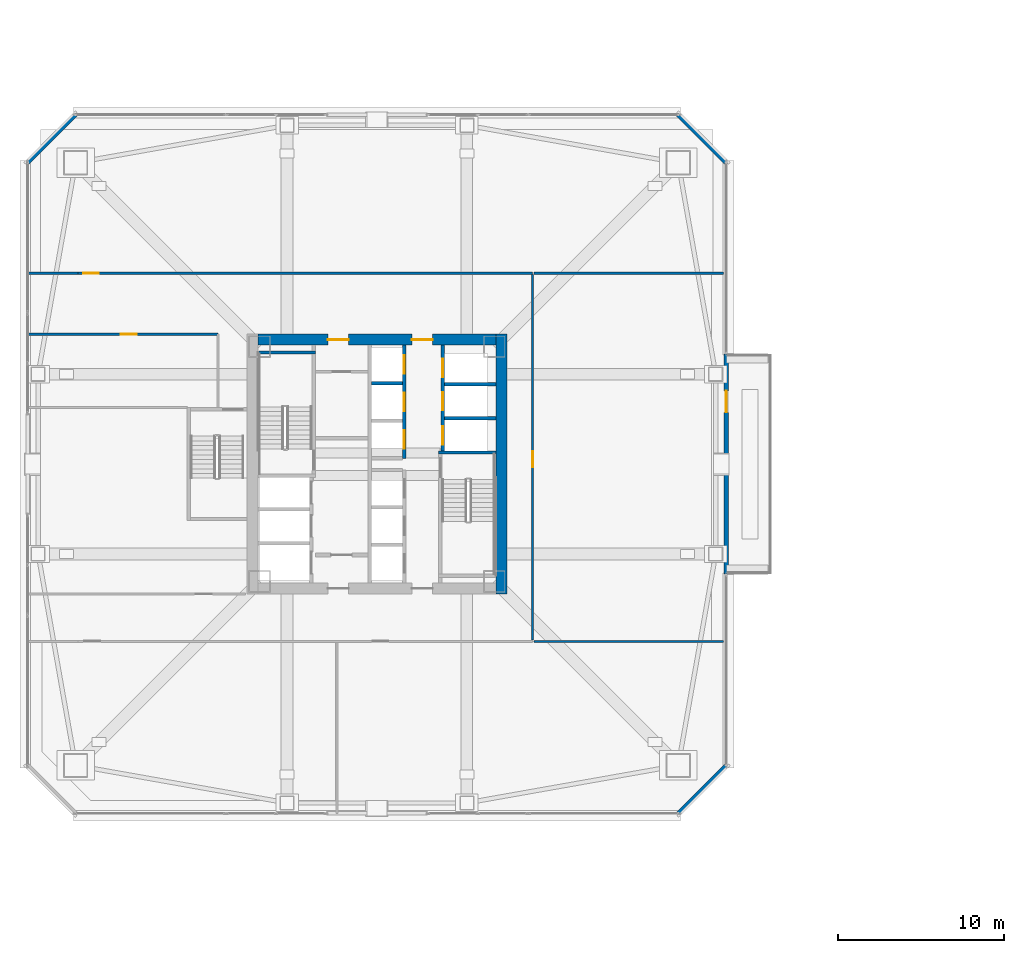
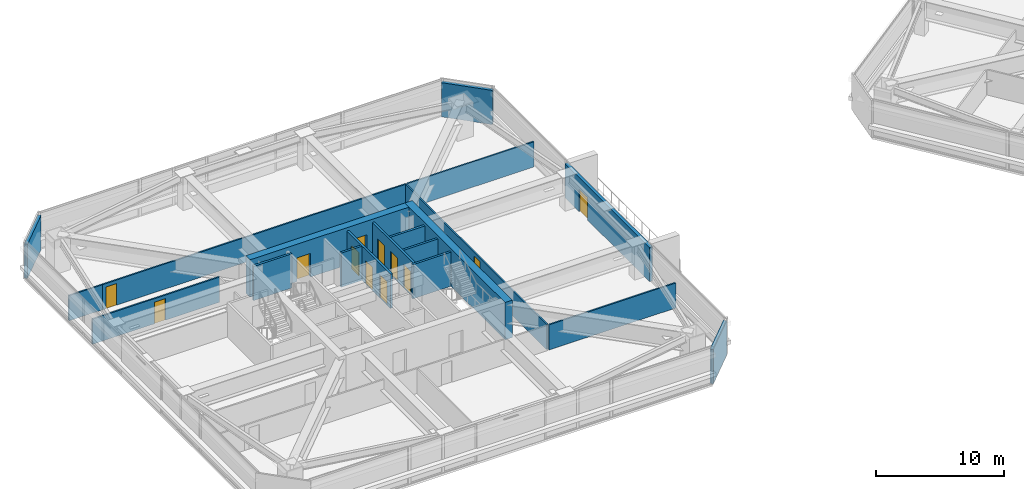
# One storey, part 39 of 49: 19 walls, 12 doors, 12 openings.
"""IFC4 building model written with IfcOpenShell, lengths in metres."""

from ifc_helpers import new_model, si_unit, direction, frame, frame_2d, origin, place, context, subcontext, project, spatial, rectangle, extrude, material, layer, layer_set, type_object, element, fill, save


model = new_model("IFC4")

# Units and contexts
model_context = context("Model", 3, precision=1e-05, world=origin(), true_north=direction((0.0, 1.0)))
body_context = subcontext(model_context, "Body", "Model", "MODEL_VIEW")
ifc_project = project(units=[si_unit("LENGTHUNIT", "METRE"), si_unit("AREAUNIT", "SQUARE_METRE"), si_unit("VOLUMEUNIT", "CUBIC_METRE"), si_unit("PLANEANGLEUNIT", "RADIAN"), si_unit("MASSUNIT", "GRAM", prefix="KILO")], contexts=[model_context])

# Site, building, storey
site_placement = place(None, origin())
site = spatial("IfcSite", under=ifc_project, at=site_placement, CompositionType="ELEMENT")
building_placement = place(site_placement, origin())
building = spatial("IfcBuilding", under=site, at=building_placement, Name="Tashvorn Skyway Center", CompositionType="ELEMENT")
storey_placement = place(building_placement, frame((0.0, 0.0, 106.25)))
storey = spatial("IfcBuildingStorey", under=building, at=storey_placement, Name="L28", CompositionType="ELEMENT", Elevation=106.25)

# Wall
ifc_material_1 = material(Name="Concrete C60/75", Category="concrete")
ifc_layer_1 = layer(ifc_material_1, 0.64990234375)
ifc_layer_set_1 = layer_set([ifc_layer_1], Name="Concrete C60/75")
wall_type_1 = type_object("IfcWallType", Name="WALL-CORE-650", PredefinedType="SHEAR", material=ifc_layer_set_1)
wall_1_placement = place(storey_placement, frame((49.47509765625, 39.800048828125, 0.0), z_axis=(0.0, 0.0, 1.0), x_axis=(0.0, -1.0, 0.0)))
element("IfcWall", 1, at=wall_1_placement, inside=storey, type_object=wall_type_1, Name="Tower 1 L28 East Core Shear Wall", PredefinedType="SHEAR", context=body_context, shape_type="SweptSolid", body=[
    extrude(rectangle(XDim=15.60009765625, YDim=0.64990234375, at=frame_2d((7.800048828125, 0.0))), origin(), (0.0, 0.0, 1.0), 3.550048828125),
])

# Wall, openings, doors
wall_2_placement = place(storey_placement, frame((34.85009765625, 39.47509765625, 0.0), z_axis=(0.0, 0.0, 1.0), x_axis=(1.0, 0.0, 0.0)))
wall_2 = element("IfcWall", 2, at=wall_2_placement, inside=storey, type_object=wall_type_1, Name="Tower 1 L28 North Core Shear Wall", PredefinedType="SHEAR", context=body_context, shape_type="SweptSolid", body=[
    extrude(rectangle(XDim=14.2998046875, YDim=0.64990234375, at=frame_2d((7.14990234375, 0.0))), origin(), (0.0, 0.0, 1.0), 3.550048828125),
])
opening_1_placement = place(wall_2_placement, frame((4.199951171875, 0.0, 0.0)))
opening_1 = element("IfcOpeningElement", 3, at=opening_1_placement, cuts=wall_2, Name="Opening D-FFL-1250", PredefinedType="OPENING", context=body_context, shape_type="SweptSolid", body=[
    extrude(rectangle(XDim=1.25, YDim=2.25, at=frame_2d((0.625, 1.125))), frame((0.0, 0.3349609375, 0.0), z_axis=(0.0, -1.0, 0.0), x_axis=(1.0, 0.0, 0.0)), (0.0, 0.0, 1.0), 0.669921875),
])
opening_2_placement = place(wall_2_placement, frame((9.25, 0.0, 0.0)))
opening_2 = element("IfcOpeningElement", 4, at=opening_2_placement, cuts=wall_2, Name="Opening D-FFL-1250", PredefinedType="OPENING", context=body_context, shape_type="SweptSolid", body=[
    extrude(rectangle(XDim=1.25, YDim=2.25, at=frame_2d((0.625, 1.125))), frame((0.0, 0.3349609375, 0.0), z_axis=(0.0, -1.0, 0.0), x_axis=(1.0, 0.0, 0.0)), (0.0, 0.0, 1.0), 0.669921875),
])
ifc_material_2 = material(Name="Hollow galvanized steel fire door assembly", Category="steel")
door_type_1 = type_object("IfcDoorType", Name="DOOR-FFL-1250", OperationType="NOTDEFINED", PredefinedType="DOOR", material=ifc_material_2)
door_1_placement = place(opening_1_placement, origin())
door_1 = element("IfcDoor", 5, at=door_1_placement, inside=storey, type_object=door_type_1, Name="Tower 1 L28 Core North Service Lobby Door", OperationType="SINGLE_SWING_LEFT", OverallHeight=2.25, OverallWidth=1.25, PredefinedType="DOOR", context=body_context, shape_type="SweptSolid", body=[
    extrude(rectangle(XDim=1.25, YDim=2.25, at=frame_2d((0.625, 1.125))), frame((0.0, 0.02490234375, 0.0), z_axis=(0.0, -1.0, 0.0), x_axis=(1.0, 0.0, 0.0)), (0.0, 0.0, 1.0), 0.050048828125),
])
fill(opening_1, door_1)
door_2_placement = place(opening_2_placement, origin())
door_2 = element("IfcDoor", 6, at=door_2_placement, inside=storey, type_object=door_type_1, Name="Tower 1 L28 Core North Lift Lobby Door", OperationType="SINGLE_SWING_RIGHT", OverallHeight=2.25, OverallWidth=1.25, PredefinedType="DOOR", context=body_context, shape_type="SweptSolid", body=[
    extrude(rectangle(XDim=1.25, YDim=2.25, at=frame_2d((0.625, 1.125))), frame((0.0, 0.02490234375, 0.0), z_axis=(0.0, -1.0, 0.0), x_axis=(1.0, 0.0, 0.0)), (0.0, 0.0, 1.0), 0.050048828125),
])
fill(opening_2, door_2)

# Wall, opening, door
ifc_material_3 = material(Name="Precast concrete C40/50", Category="concrete")
ifc_layer_2 = layer(ifc_material_3, 0.280029296875)
ifc_layer_set_2 = layer_set([ifc_layer_2], Name="Precast concrete C40/50")
wall_type_2 = type_object("IfcWallType", Name="WALL-EXT-280", PredefinedType="SOLIDWALL", material=ifc_layer_set_2)
wall_3_placement = place(storey_placement, frame((62.97998046875, 38.60009765625, 0.0), z_axis=(0.0, 0.0, 1.0), x_axis=(0.0, -1.0, 0.0)))
wall_3 = element("IfcWall", 7, at=wall_3_placement, inside=storey, type_object=wall_type_2, Name="Tower 1 L28 East Sky Garden Loggia Wall", PredefinedType="SOLIDWALL", context=body_context, shape_type="SweptSolid", body=[
    extrude(rectangle(XDim=13.2001953125, YDim=0.280029296875, at=frame_2d((6.60009765625, 0.0))), origin(), (0.0, 0.0, 1.0), 3.25),
])
opening_3_placement = place(wall_3_placement, frame((2.199951171875, 0.0, 0.0)))
opening_3 = element("IfcOpeningElement", 8, at=opening_3_placement, cuts=wall_3, Name="Opening D-TER-1300", PredefinedType="OPENING", context=body_context, shape_type="SweptSolid", body=[
    extrude(rectangle(XDim=1.300048828125, YDim=2.14990234375, at=frame_2d((0.64990234375, 1.074951171875))), frame((0.0, 0.14990234375, 0.0), z_axis=(0.0, -1.0, 0.0), x_axis=(1.0, 0.0, 0.0)), (0.0, 0.0, 1.0), 0.300048828125),
])
ifc_material_4 = material(Name="Thermally broken bronze-anodized aluminium 6063-T6", Category="aluminium")
door_type_2 = type_object("IfcDoorType", Name="DOOR-TERR-1300", OperationType="NOTDEFINED", PredefinedType="DOOR", material=ifc_material_4)
door_3_placement = place(opening_3_placement, origin())
door_3 = element("IfcDoor", 9, at=door_3_placement, inside=storey, type_object=door_type_2, Name="Tower 1 L28 Sky Garden Access Door", OperationType="SINGLE_SWING_RIGHT", OverallHeight=2.14990234375, OverallWidth=1.300048828125, PredefinedType="DOOR", context=body_context, shape_type="SweptSolid", body=[
    extrude(rectangle(XDim=1.300048828125, YDim=2.14990234375, at=frame_2d((0.64990234375, 1.074951171875))), frame((0.0, 0.02490234375, 0.0), z_axis=(0.0, -1.0, 0.0), x_axis=(1.0, 0.0, 0.0)), (0.0, 0.0, 1.0), 0.050048828125),
])
fill(opening_3, door_3)

# Walls
for number, where, z_axis, x_axis, name in (
    (10, (21.0, 50.10009765625, 0.0), (0.0, 0.0, 1.0), (0.707106781187, 0.707106781187, 0.0), "Tower 1 L28 NW Precast Chamfer Wall"),
    (11, (60.10009765625, 53.0, 0.0), (0.0, 0.0, 1.0), (0.707106781187, -0.707106781187, 0.0), "Tower 1 L28 NE Precast Chamfer Wall"),
    (12, (63.0, 13.89990234375, 0.0), (0.0, 0.0, 1.0), (-0.707106781187, -0.707106781187, 0.0), "Tower 1 L28 SE Precast Chamfer Wall"),
):
    element("IfcWall", number, at=place(storey_placement, frame(where, z_axis=z_axis, x_axis=x_axis)), inside=storey, type_object=wall_type_2, Name=name, PredefinedType="SOLIDWALL", context=body_context, shape_type="SweptSolid", body=[
        extrude(rectangle(XDim=4.10107421875, YDim=0.280029296875, at=frame_2d((2.050537109375, 0.0))), origin(), (0.0, 0.0, 1.0), 3.25),
    ])

# Wall, opening, door
ifc_material_5 = material(Name="Gypsum board on cold-formed steel stud framing", Category="steel")
ifc_layer_3 = layer(ifc_material_5, 0.135009765625)
ifc_layer_set_3 = layer_set([ifc_layer_3], Name="Gypsum board on cold-formed steel stud framing")
wall_type_3 = type_object("IfcWallType", Name="WALL-PART-135", PredefinedType="PARTITIONING", material=ifc_layer_set_3)
wall_4_placement = place(storey_placement, frame((24.050048828125, 43.469970703125, 0.0), z_axis=(0.0, 0.0, 1.0), x_axis=(1.0, 0.0, 0.0)))
wall_4 = element("IfcWall", 13, at=wall_4_placement, inside=storey, type_object=wall_type_3, Name="Tower 1 L28 North Suite Wall", PredefinedType="PARTITIONING", context=body_context, shape_type="SweptSolid", body=[
    extrude(rectangle(XDim=27.300048828125, YDim=0.135009765625, at=frame_2d((13.64990234375, 0.0))), origin(), (0.0, 0.0, 1.0), 2.39306640625),
])
opening_4_placement = place(wall_4_placement, frame((0.300048828125, 0.0, 0.0)))
opening_4 = element("IfcOpeningElement", 14, at=opening_4_placement, cuts=wall_4, Name="Opening D-INT-950", PredefinedType="OPENING", context=body_context, shape_type="SweptSolid", body=[
    extrude(rectangle(XDim=0.949951171875, YDim=2.050048828125, at=frame_2d((0.47509765625, 1.02490234375))), frame((0.0, 0.077392578125, 0.0), z_axis=(0.0, -1.0, 0.0), x_axis=(1.0, 0.0, 0.0)), (0.0, 0.0, 1.0), 0.155029296875),
])
ifc_material_6 = material(Name="Solid-core architectural oak veneer door")
door_type_3 = type_object("IfcDoorType", Name="DOOR-INT-950", OperationType="NOTDEFINED", PredefinedType="DOOR", material=ifc_material_6)
door_4_placement = place(opening_4_placement, origin())
door_4 = element("IfcDoor", 15, at=door_4_placement, inside=storey, type_object=door_type_3, Name="Tower 1 L28 Operations Control Room Door", OperationType="SINGLE_SWING_LEFT", OverallHeight=2.050048828125, OverallWidth=0.949951171875, PredefinedType="DOOR", context=body_context, shape_type="SweptSolid", body=[
    extrude(rectangle(XDim=0.949951171875, YDim=2.050048828125, at=frame_2d((0.47509765625, 1.02490234375))), frame((0.0, 0.02490234375, 0.0), z_axis=(0.0, -1.0, 0.0), x_axis=(1.0, 0.0, 0.0)), (0.0, 0.0, 1.0), 0.050048828125),
])
fill(opening_4, door_4)

# Wall
wall_5_placement = place(storey_placement, frame((21.02001953125, 43.469970703125, 0.0), z_axis=(0.0, 0.0, 1.0), x_axis=(1.0, 0.0, 0.0)))
element("IfcWall", 16, at=wall_5_placement, inside=storey, type_object=wall_type_3, Name="Tower 1 L28 North-West Suite South Wall", PredefinedType="PARTITIONING", context=body_context, shape_type="SweptSolid", body=[
    extrude(rectangle(XDim=3.030029296875, YDim=0.135009765625, at=frame_2d((1.51513671875, 0.0))), origin(), (0.0, 0.0, 1.0), 2.39306640625),
])

# Wall, opening, door
wall_6_placement = place(storey_placement, frame((51.35009765625, 43.389892578125, 0.0), z_axis=(0.0, 0.0, 1.0), x_axis=(0.0, -1.0, 0.0)))
wall_6 = element("IfcWall", 17, at=wall_6_placement, inside=storey, type_object=wall_type_3, Name="Tower 1 L28 East Inner Suite Wall", PredefinedType="PARTITIONING", context=body_context, shape_type="SweptSolid", body=[
    extrude(rectangle(XDim=21.9599609375, YDim=0.135009765625, at=frame_2d((10.97998046875, 0.0))), origin(), (0.0, 0.0, 1.0), 2.39306640625),
])
opening_5_placement = place(wall_6_placement, frame((10.631103515625, 0.0, 0.0)))
opening_5 = element("IfcOpeningElement", 18, at=opening_5_placement, cuts=wall_6, Name="Opening D-INT-950", PredefinedType="OPENING", context=body_context, shape_type="SweptSolid", body=[
    extrude(rectangle(XDim=0.949951171875, YDim=2.050048828125, at=frame_2d((0.47509765625, 1.02490234375))), frame((0.0, 0.077392578125, 0.0), z_axis=(0.0, -1.0, 0.0), x_axis=(1.0, 0.0, 0.0)), (0.0, 0.0, 1.0), 0.155029296875),
])
door_5_placement = place(opening_5_placement, origin())
door_5 = element("IfcDoor", 19, at=door_5_placement, inside=storey, type_object=door_type_3, Name="Tower 1 L28 Wellness Clinic Door", OperationType="SINGLE_SWING_RIGHT", OverallHeight=2.050048828125, OverallWidth=0.949951171875, PredefinedType="DOOR", context=body_context, shape_type="SweptSolid", body=[
    extrude(rectangle(XDim=0.949951171875, YDim=2.050048828125, at=frame_2d((0.47509765625, 1.02490234375))), frame((0.0, 0.02490234375, 0.0), z_axis=(0.0, -1.0, 0.0), x_axis=(1.0, 0.0, 0.0)), (0.0, 0.0, 1.0), 0.050048828125),
])
fill(opening_5, door_5)

# Walls
for number, where, z_axis, x_axis, name in (
    (20, (62.830078125, 43.469970703125, 0.0), (0.0, 0.0, 1.0), (-1.0, 0.0, 0.0), "Tower 1 L28 East Suite North Wall"),
    (21, (51.429931640625, 21.35009765625, 0.0), (0.0, 0.0, 1.0), (1.0, 0.0, 0.0), "Tower 1 L28 East Suite South Wall"),
):
    element("IfcWall", number, at=place(storey_placement, frame(where, z_axis=z_axis, x_axis=x_axis)), inside=storey, type_object=wall_type_3, Name=name, PredefinedType="PARTITIONING", context=body_context, shape_type="SweptSolid", body=[
        extrude(rectangle(XDim=11.400146484375, YDim=0.135009765625, at=frame_2d((5.7001953125, 0.0))), origin(), (0.0, 0.0, 1.0), 2.39306640625),
    ])

# Wall, opening, door
wall_7_placement = place(storey_placement, frame((32.449951171875, 39.800048828125, 0.0), z_axis=(0.0, 0.0, 1.0), x_axis=(-1.0, 0.0, 0.0)))
wall_7 = element("IfcWall", 22, at=wall_7_placement, inside=storey, type_object=wall_type_3, Name="Tower 1 L28 West Suite North Wall", PredefinedType="PARTITIONING", context=body_context, shape_type="SweptSolid", body=[
    extrude(rectangle(XDim=11.429931640625, YDim=0.135009765625, at=frame_2d((5.71484375, 0.0))), origin(), (0.0, 0.0, 1.0), 2.39306640625),
])
opening_6_placement = place(wall_7_placement, frame((4.889892578125, 0.0, 0.0)))
opening_6 = element("IfcOpeningElement", 23, at=opening_6_placement, cuts=wall_7, Name="Opening D-INT-950", PredefinedType="OPENING", context=body_context, shape_type="SweptSolid", body=[
    extrude(rectangle(XDim=0.949951171875, YDim=2.050048828125, at=frame_2d((0.47509765625, 1.02490234375))), frame((0.0, 0.077392578125, 0.0), z_axis=(0.0, -1.0, 0.0), x_axis=(1.0, 0.0, 0.0)), (0.0, 0.0, 1.0), 0.155029296875),
])
door_6_placement = place(opening_6_placement, origin())
door_6 = element("IfcDoor", 24, at=door_6_placement, inside=storey, type_object=door_type_3, Name="Tower 1 L28 Boardroom Door", OperationType="SINGLE_SWING_LEFT", OverallHeight=2.050048828125, OverallWidth=0.949951171875, PredefinedType="DOOR", context=body_context, shape_type="SweptSolid", body=[
    extrude(rectangle(XDim=0.949951171875, YDim=2.050048828125, at=frame_2d((0.47509765625, 1.02490234375))), frame((0.0, 0.02490234375, 0.0), z_axis=(0.0, -1.0, 0.0), x_axis=(1.0, 0.0, 0.0)), (0.0, 0.0, 1.0), 0.050048828125),
])
fill(opening_6, door_6)

# Walls
ifc_material_7 = material(Name="Concrete C40/50", Category="concrete")
ifc_layer_4 = layer(ifc_material_7, 0.199951171875)
ifc_layer_set_4 = layer_set([ifc_layer_4], Name="Concrete C40/50")
wall_type_4 = type_object("IfcWallType", Name="WALL-SHAFT-200", PredefinedType="SOLIDWALL", material=ifc_layer_set_4)
for number, where, z_axis, x_axis, name in (
    (25, (46.050048828125, 34.75, 0.0), (0.0, 0.0, 1.0), (1.0, 0.0, 0.0), "Tower 1 L28 High-Rise Shaft Divider"),
    (26, (46.050048828125, 36.800048828125, 0.0), (0.0, 0.0, 1.0), (1.0, 0.0, 0.0), "Tower 1 L28 High-Rise Shaft Divider"),
):
    element("IfcWall", number, at=place(storey_placement, frame(where, z_axis=z_axis, x_axis=x_axis)), inside=storey, type_object=wall_type_4, Name=name, PredefinedType="SOLIDWALL", context=body_context, shape_type="SweptSolid", body=[
        extrude(rectangle(XDim=3.099853515625, YDim=0.199951171875, at=frame_2d((1.5498046875, 0.0))), origin(), (0.0, 0.0, 1.0), 3.25),
    ])

# Wall, openings, doors
wall_8_placement = place(storey_placement, frame((43.64990234375, 32.35009765625, 0.0), z_axis=(0.0, 0.0, 1.0), x_axis=(0.0, 1.0, 0.0)))
wall_8 = element("IfcWall", 27, at=wall_8_placement, inside=storey, type_object=wall_type_4, Name="Tower 1 L28 Mid-Rise Core Wall", PredefinedType="SOLIDWALL", context=body_context, shape_type="SweptSolid", body=[
    extrude(rectangle(XDim=6.7998046875, YDim=0.199951171875, at=frame_2d((3.39990234375, 0.0))), origin(), (0.0, 0.0, 1.0), 3.25),
])
opening_7_placement = place(wall_8_placement, frame((0.574951171875, 0.0, 0.0)))
opening_7 = element("IfcOpeningElement", 28, at=opening_7_placement, cuts=wall_8, Name="Opening LD-MR-T1-1-L28", PredefinedType="OPENING", context=body_context, shape_type="SweptSolid", body=[
    extrude(rectangle(XDim=1.10009765625, YDim=2.199951171875, at=frame_2d((0.550048828125, 1.10009765625))), frame((0.0, 0.10986328125, 0.0), z_axis=(0.0, -1.0, 0.0), x_axis=(1.0, 0.0, 0.0)), (0.0, 0.0, 1.0), 0.219970703125),
])
opening_8_placement = place(wall_8_placement, frame((2.824951171875, 0.0, 0.0)))
opening_8 = element("IfcOpeningElement", 29, at=opening_8_placement, cuts=wall_8, Name="Opening LD-MR-T1-2-L28", PredefinedType="OPENING", context=body_context, shape_type="SweptSolid", body=[
    extrude(rectangle(XDim=1.10009765625, YDim=2.199951171875, at=frame_2d((0.550048828125, 1.10009765625))), frame((0.0, 0.10986328125, 0.0), z_axis=(0.0, -1.0, 0.0), x_axis=(1.0, 0.0, 0.0)), (0.0, 0.0, 1.0), 0.219970703125),
])
opening_9_placement = place(wall_8_placement, frame((5.074951171875, 0.0, 0.0)))
opening_9 = element("IfcOpeningElement", 30, at=opening_9_placement, cuts=wall_8, Name="Opening LD-MR-T1-3-L28", PredefinedType="OPENING", context=body_context, shape_type="SweptSolid", body=[
    extrude(rectangle(XDim=1.10009765625, YDim=2.199951171875, at=frame_2d((0.550048828125, 1.10009765625))), frame((0.0, 0.10986328125, 0.0), z_axis=(0.0, -1.0, 0.0), x_axis=(1.0, 0.0, 0.0)), (0.0, 0.0, 1.0), 0.219970703125),
])
ifc_material_8 = material(Name="Stainless steel landing door", Category="steel")
door_type_4 = type_object("IfcDoorType", Name="DOOR-LIFT-1100", OperationType="SLIDING_TO_LEFT", PredefinedType="DOOR", material=ifc_material_8)
door_7_placement = place(opening_7_placement, origin())
door_7 = element("IfcDoor", 31, at=door_7_placement, inside=storey, type_object=door_type_4, Name="Lift MR-T1-1 L28 Landing Door", OperationType="SLIDING_TO_LEFT", OverallHeight=2.199951171875, OverallWidth=1.10009765625, PredefinedType="DOOR", context=body_context, shape_type="SweptSolid", body=[
    extrude(rectangle(XDim=1.10009765625, YDim=2.199951171875, at=frame_2d((0.550048828125, 1.10009765625))), frame((0.0, 0.02490234375, 0.0), z_axis=(0.0, -1.0, 0.0), x_axis=(1.0, 0.0, 0.0)), (0.0, 0.0, 1.0), 0.050048828125),
])
fill(opening_7, door_7)
door_8_placement = place(opening_8_placement, origin())
door_8 = element("IfcDoor", 32, at=door_8_placement, inside=storey, type_object=door_type_4, Name="Lift MR-T1-2 L28 Landing Door", OperationType="SLIDING_TO_LEFT", OverallHeight=2.199951171875, OverallWidth=1.10009765625, PredefinedType="DOOR", context=body_context, shape_type="SweptSolid", body=[
    extrude(rectangle(XDim=1.10009765625, YDim=2.199951171875, at=frame_2d((0.550048828125, 1.10009765625))), frame((0.0, 0.02490234375, 0.0), z_axis=(0.0, -1.0, 0.0), x_axis=(1.0, 0.0, 0.0)), (0.0, 0.0, 1.0), 0.050048828125),
])
fill(opening_8, door_8)
door_9_placement = place(opening_9_placement, origin())
door_9 = element("IfcDoor", 33, at=door_9_placement, inside=storey, type_object=door_type_4, Name="Lift MR-T1-3 L28 Landing Door", OperationType="SLIDING_TO_LEFT", OverallHeight=2.199951171875, OverallWidth=1.10009765625, PredefinedType="DOOR", context=body_context, shape_type="SweptSolid", body=[
    extrude(rectangle(XDim=1.10009765625, YDim=2.199951171875, at=frame_2d((0.550048828125, 1.10009765625))), frame((0.0, 0.02490234375, 0.0), z_axis=(0.0, -1.0, 0.0), x_axis=(1.0, 0.0, 0.0)), (0.0, 0.0, 1.0), 0.050048828125),
])
fill(opening_9, door_9)

# Walls
wall_9_placement = place(storey_placement, frame((41.669921875, 36.85009765625, 0.0), z_axis=(0.0, 0.0, 1.0), x_axis=(1.0, 0.0, 0.0)))
element("IfcWall", 34, at=wall_9_placement, inside=storey, type_object=wall_type_4, Name="Tower 1 L28 Mid-Rise Shaft Divider", PredefinedType="SOLIDWALL", context=body_context, shape_type="SweptSolid", body=[
    extrude(rectangle(XDim=1.880126953125, YDim=0.199951171875, at=frame_2d((0.93994140625, 0.0))), origin(), (0.0, 0.0, 1.0), 3.25),
])
ifc_layer_5 = layer(ifc_material_7, 0.199951171875)
ifc_layer_set_5 = layer_set([ifc_layer_5], Name="Concrete C40/50")
wall_type_5 = type_object("IfcWallType", Name="WALL-STSHF-200", PredefinedType="SHEAR", material=ifc_layer_set_5)
for number, where, z_axis, x_axis, name in (
    (35, (34.85009765625, 38.699951171875, 0.0), (0.0, 0.0, 1.0), (1.0, 0.0, 0.0), "Tower 1 L28 Stair 1 North Wall"),
    (36, (45.699951171875, 32.699951171875, 0.0), (0.0, 0.0, 1.0), (1.0, 0.0, 0.0), "Tower 1 L28 Stair 2 North Wall"),
):
    element("IfcWall", number, at=place(storey_placement, frame(where, z_axis=z_axis, x_axis=x_axis)), inside=storey, type_object=wall_type_5, Name=name, PredefinedType="SHEAR", context=body_context, shape_type="SweptSolid", body=[
        extrude(rectangle(XDim=3.449951171875, YDim=0.199951171875, at=frame_2d((1.72509765625, 0.0))), origin(), (0.0, 0.0, 1.0), 3.25),
    ])

# Wall, openings, doors
wall_10_placement = place(storey_placement, frame((45.949951171875, 39.14990234375, 0.0), z_axis=(0.0, 0.0, 1.0), x_axis=(0.0, -1.0, 0.0)))
wall_10 = element("IfcWall", 37, at=wall_10_placement, inside=storey, type_object=wall_type_5, Name="Tower 1 L28 High-Rise Lift Shaft Front Wall", PredefinedType="SHEAR", context=body_context, shape_type="SweptSolid", body=[
    extrude(rectangle(XDim=6.349853515625, YDim=0.199951171875, at=frame_2d((3.1748046875, 0.0))), origin(), (0.0, 0.0, 1.0), 3.25),
])
opening_10_placement = place(wall_10_placement, frame((4.875, 0.0, 0.0)))
opening_10 = element("IfcOpeningElement", 38, at=opening_10_placement, cuts=wall_10, Name="Opening LD-HR-T1-1-L28", PredefinedType="OPENING", context=body_context, shape_type="SweptSolid", body=[
    extrude(rectangle(XDim=1.10009765625, YDim=2.199951171875, at=frame_2d((0.550048828125, 1.10009765625))), frame((0.0, 0.10986328125, 0.0), z_axis=(0.0, -1.0, 0.0), x_axis=(1.0, 0.0, 0.0)), (0.0, 0.0, 1.0), 0.219970703125),
])
opening_11_placement = place(wall_10_placement, frame((2.824951171875, 0.0, 0.0)))
opening_11 = element("IfcOpeningElement", 39, at=opening_11_placement, cuts=wall_10, Name="Opening LD-HR-T1-2-L28", PredefinedType="OPENING", context=body_context, shape_type="SweptSolid", body=[
    extrude(rectangle(XDim=1.10009765625, YDim=2.199951171875, at=frame_2d((0.550048828125, 1.10009765625))), frame((0.0, 0.10986328125, 0.0), z_axis=(0.0, -1.0, 0.0), x_axis=(1.0, 0.0, 0.0)), (0.0, 0.0, 1.0), 0.219970703125),
])
opening_12_placement = place(wall_10_placement, frame((0.824951171875, 0.0, 0.0)))
opening_12 = element("IfcOpeningElement", 40, at=opening_12_placement, cuts=wall_10, Name="Opening LD-HR-T1-3-L28", PredefinedType="OPENING", context=body_context, shape_type="SweptSolid", body=[
    extrude(rectangle(XDim=1.10009765625, YDim=2.199951171875, at=frame_2d((0.550048828125, 1.10009765625))), frame((0.0, 0.10986328125, 0.0), z_axis=(0.0, -1.0, 0.0), x_axis=(1.0, 0.0, 0.0)), (0.0, 0.0, 1.0), 0.219970703125),
])
door_10_placement = place(opening_10_placement, origin())
door_10 = element("IfcDoor", 41, at=door_10_placement, inside=storey, type_object=door_type_4, Name="Lift HR-T1-1 L28 Landing Door", OperationType="SLIDING_TO_LEFT", OverallHeight=2.199951171875, OverallWidth=1.10009765625, PredefinedType="DOOR", context=body_context, shape_type="SweptSolid", body=[
    extrude(rectangle(XDim=1.10009765625, YDim=2.199951171875, at=frame_2d((0.550048828125, 1.10009765625))), frame((0.0, 0.02490234375, 0.0), z_axis=(0.0, -1.0, 0.0), x_axis=(1.0, 0.0, 0.0)), (0.0, 0.0, 1.0), 0.050048828125),
])
fill(opening_10, door_10)
door_11_placement = place(opening_11_placement, origin())
door_11 = element("IfcDoor", 42, at=door_11_placement, inside=storey, type_object=door_type_4, Name="Lift HR-T1-2 L28 Landing Door", OperationType="SLIDING_TO_LEFT", OverallHeight=2.199951171875, OverallWidth=1.10009765625, PredefinedType="DOOR", context=body_context, shape_type="SweptSolid", body=[
    extrude(rectangle(XDim=1.10009765625, YDim=2.199951171875, at=frame_2d((0.550048828125, 1.10009765625))), frame((0.0, 0.02490234375, 0.0), z_axis=(0.0, -1.0, 0.0), x_axis=(1.0, 0.0, 0.0)), (0.0, 0.0, 1.0), 0.050048828125),
])
fill(opening_11, door_11)
door_12_placement = place(opening_12_placement, origin())
door_12 = element("IfcDoor", 43, at=door_12_placement, inside=storey, type_object=door_type_4, Name="Lift HR-T1-3 L28 Landing Door", OperationType="SLIDING_TO_LEFT", OverallHeight=2.199951171875, OverallWidth=1.10009765625, PredefinedType="DOOR", context=body_context, shape_type="SweptSolid", body=[
    extrude(rectangle(XDim=1.10009765625, YDim=2.199951171875, at=frame_2d((0.550048828125, 1.10009765625))), frame((0.0, 0.02490234375, 0.0), z_axis=(0.0, -1.0, 0.0), x_axis=(1.0, 0.0, 0.0)), (0.0, 0.0, 1.0), 0.050048828125),
])
fill(opening_12, door_12)

save(model, "model.ifc")
